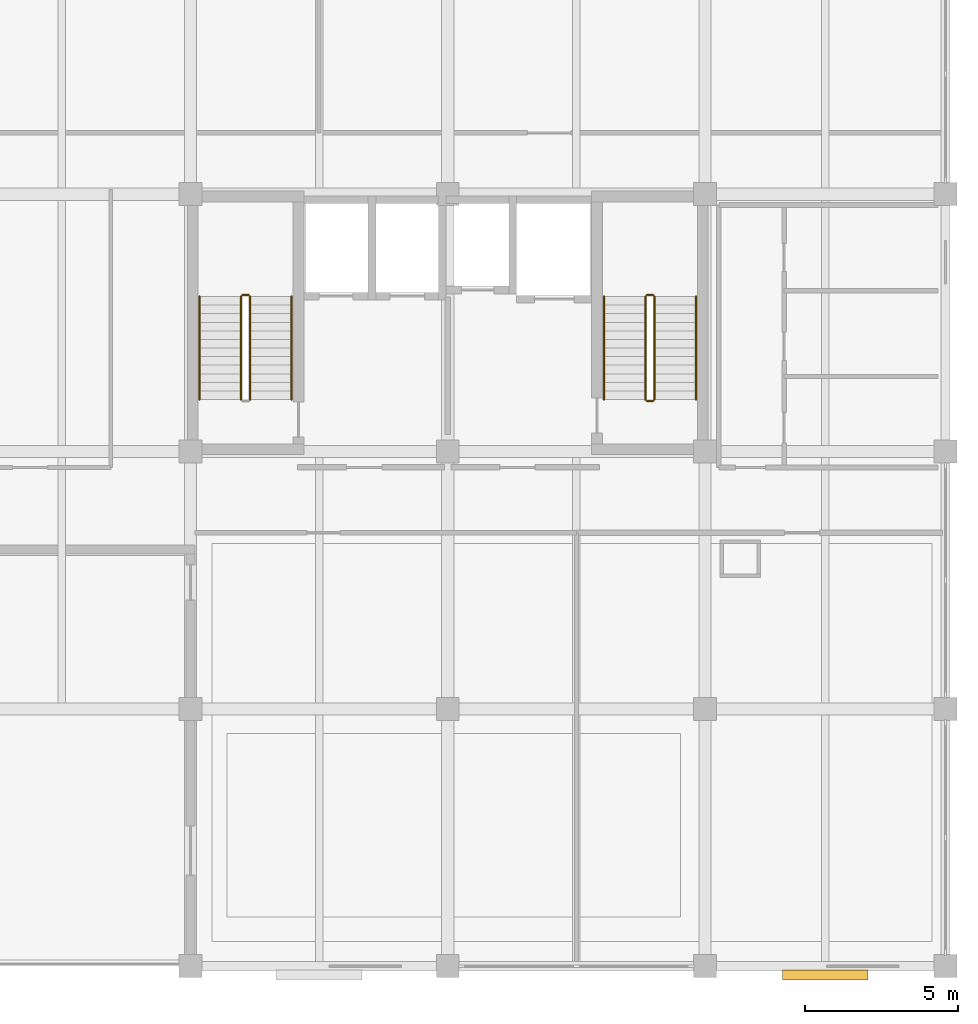
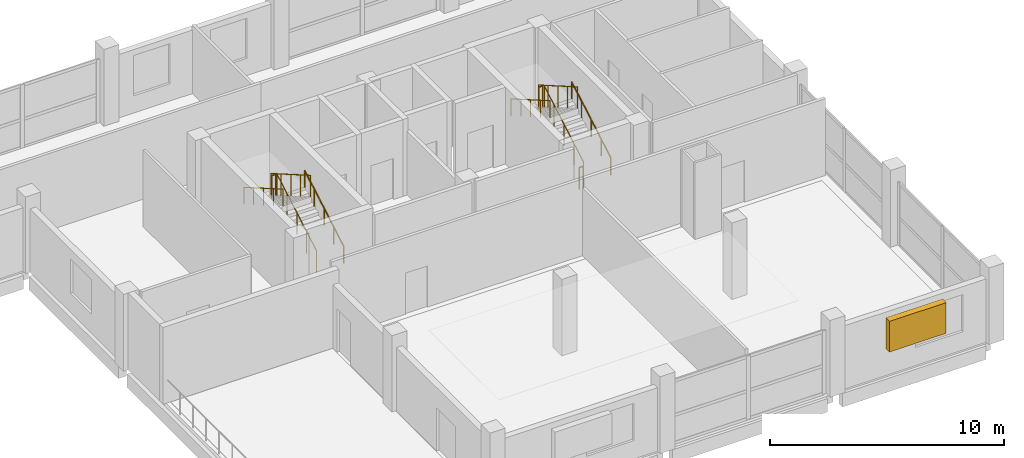
# One storey, part 10 of 10: 11 railings, 1 shading device.
"""IFC4 building model written with IfcOpenShell, lengths in metres."""

from ifc_helpers import new_model, si_unit, direction, frame, origin, origin_2d, place, context, subcontext, project, spatial, rectangle, circle, extrude, material, type_object, element, save


model = new_model("IFC4")

# Units and contexts
model_context = context("Model", 3, precision=1e-05, world=origin(), true_north=direction((0.0, 1.0)))
body_context = subcontext(model_context, "Body", "Model", "MODEL_VIEW")
ifc_project = project(units=[si_unit("LENGTHUNIT", "METRE"), si_unit("AREAUNIT", "SQUARE_METRE"), si_unit("VOLUMEUNIT", "CUBIC_METRE"), si_unit("PLANEANGLEUNIT", "RADIAN"), si_unit("MASSUNIT", "GRAM", prefix="KILO")], contexts=[model_context])

# Site, building, storey
site_placement = place(None, origin())
site = spatial("IfcSite", under=ifc_project, at=site_placement, CompositionType="ELEMENT")
building_placement = place(site_placement, origin())
building = spatial("IfcBuilding", under=site, at=building_placement, Name="Brinegate Botanical Conservatory", CompositionType="ELEMENT")
storey_placement = place(building_placement, frame((0.0, 0.0, 44.39990234375)))
storey = spatial("IfcBuildingStorey", under=building, at=storey_placement, Name="L11", CompositionType="ELEMENT", Elevation=44.39990234375)

# Railings
ifc_material_1 = material(Name="Structural steel Q355B / S355 painted tubular guardrail", Category="steel")
railing_type_1 = type_object("IfcRailingType", Name="Rail_ST-GRD", PredefinedType="GUARDRAIL", material=ifc_material_1)
railing_1_placement = place(storey_placement, frame((140.75, 96.89990234375, 0.16162109375)))
element("IfcRailing", 1, at=railing_1_placement, inside=storey, type_object=railing_type_1, Name="L11 ST1 stair guard 1", PredefinedType="GUARDRAIL", context=body_context, shape_type="SweptSolid", body=[
    extrude(circle(Radius=0.02392578125, at=origin_2d()), frame((0.0, 0.0, 1.1259765625), z_axis=(0.0, 0.866190824863, 0.499713372768), x_axis=(-1.0, 0.0, 0.0)), (0.0, 0.0, 1.0), 3.879150390625),
    extrude(circle(Radius=0.02099609375, at=origin_2d()), origin(), (0.0, 0.0, 1.0), 1.101806640625),
    extrude(circle(Radius=0.02099609375, at=origin_2d()), frame((0.0, 0.840087890625, 0.484619140625)), (0.0, 0.0, 1.0), 1.101806640625),
    extrude(circle(Radius=0.02099609375, at=origin_2d()), frame((0.0, 1.68017578125, 0.96923828125)), (0.0, 0.0, 1.0), 1.101806640625),
    extrude(circle(Radius=0.02099609375, at=origin_2d()), frame((0.0, 2.52001953125, 1.453857421875)), (0.0, 0.0, 1.0), 1.101806640625),
    extrude(circle(Radius=0.02099609375, at=origin_2d()), frame((0.0, 3.360107421875, 1.9384765625)), (0.0, 0.0, 1.0), 1.101806640625),
])
railing_2_placement = place(storey_placement, frame((140.699951171875, 100.31005859375, 2.10009765625)))
element("IfcRailing", 2, at=railing_2_placement, inside=storey, type_object=railing_type_1, Name="L11 ST1 stair guard 2", PredefinedType="GUARDRAIL", context=body_context, shape_type="SweptSolid", body=[
    extrude(circle(Radius=0.02392578125, at=origin_2d()), frame((0.0, 0.0, 1.1259765625), z_axis=(-1.0, 0.0, 0.0), x_axis=(0.0, -1.0, 0.0)), (0.0, 0.0, 1.0), 0.199951171875),
    extrude(circle(Radius=0.02099609375, at=origin_2d()), origin(), (0.0, 0.0, 1.0), 1.101806640625),
    extrude(circle(Radius=0.02099609375, at=origin_2d()), frame((-0.199951171875, 0.0, 0.0)), (0.0, 0.0, 1.0), 1.101806640625),
])
railing_3_placement = place(storey_placement, frame((140.449951171875, 100.260009765625, 2.26171875)))
element("IfcRailing", 3, at=railing_3_placement, inside=storey, type_object=railing_type_1, Name="L11 ST1 stair guard 3", PredefinedType="GUARDRAIL", context=body_context, shape_type="SweptSolid", body=[
    extrude(circle(Radius=0.02392578125, at=origin_2d()), frame((0.0, 0.0, 1.1259765625), z_axis=(0.0, -0.866190824863, 0.499713372768), x_axis=(1.0, 0.0, 0.0)), (0.0, 0.0, 1.0), 3.879150390625),
    extrude(circle(Radius=0.02099609375, at=origin_2d()), origin(), (0.0, 0.0, 1.0), 1.101806640625),
    extrude(circle(Radius=0.02099609375, at=origin_2d()), frame((0.0, -0.840087890625, 0.484619140625)), (0.0, 0.0, 1.0), 1.101806640625),
    extrude(circle(Radius=0.02099609375, at=origin_2d()), frame((0.0, -1.68017578125, 0.96923828125)), (0.0, 0.0, 1.0), 1.101806640625),
    extrude(circle(Radius=0.02099609375, at=origin_2d()), frame((0.0, -2.52001953125, 1.453857421875)), (0.0, 0.0, 1.0), 1.101806640625),
    extrude(circle(Radius=0.02099609375, at=origin_2d()), frame((0.0, -3.360107421875, 1.9384765625)), (0.0, 0.0, 1.0), 1.101806640625),
])
railing_4_placement = place(storey_placement, frame((153.949951171875, 96.89990234375, 0.16162109375)))
element("IfcRailing", 4, at=railing_4_placement, inside=storey, type_object=railing_type_1, Name="L11 ST2 stair guard 1", PredefinedType="GUARDRAIL", context=body_context, shape_type="SweptSolid", body=[
    extrude(circle(Radius=0.02392578125, at=origin_2d()), frame((0.0, 0.0, 1.1259765625), z_axis=(0.0, 0.866190824863, 0.499713372768), x_axis=(-1.0, 0.0, 0.0)), (0.0, 0.0, 1.0), 3.879150390625),
    extrude(circle(Radius=0.02099609375, at=origin_2d()), origin(), (0.0, 0.0, 1.0), 1.101806640625),
    extrude(circle(Radius=0.02099609375, at=origin_2d()), frame((0.0, 0.840087890625, 0.484619140625)), (0.0, 0.0, 1.0), 1.101806640625),
    extrude(circle(Radius=0.02099609375, at=origin_2d()), frame((0.0, 1.68017578125, 0.96923828125)), (0.0, 0.0, 1.0), 1.101806640625),
    extrude(circle(Radius=0.02099609375, at=origin_2d()), frame((0.0, 2.52001953125, 1.453857421875)), (0.0, 0.0, 1.0), 1.101806640625),
    extrude(circle(Radius=0.02099609375, at=origin_2d()), frame((0.0, 3.360107421875, 1.9384765625)), (0.0, 0.0, 1.0), 1.101806640625),
])
railing_5_placement = place(storey_placement, frame((153.89990234375, 100.31005859375, 2.10009765625)))
element("IfcRailing", 5, at=railing_5_placement, inside=storey, type_object=railing_type_1, Name="L11 ST2 stair guard 2", PredefinedType="GUARDRAIL", context=body_context, shape_type="SweptSolid", body=[
    extrude(circle(Radius=0.02392578125, at=origin_2d()), frame((0.0, 0.0, 1.1259765625), z_axis=(-1.0, 0.0, 0.0), x_axis=(0.0, -1.0, 0.0)), (0.0, 0.0, 1.0), 0.199951171875),
    extrude(circle(Radius=0.02099609375, at=origin_2d()), origin(), (0.0, 0.0, 1.0), 1.101806640625),
    extrude(circle(Radius=0.02099609375, at=origin_2d()), frame((-0.199951171875, 0.0, 0.0)), (0.0, 0.0, 1.0), 1.101806640625),
])
railing_6_placement = place(storey_placement, frame((153.64990234375, 100.260009765625, 2.26171875)))
element("IfcRailing", 6, at=railing_6_placement, inside=storey, type_object=railing_type_1, Name="L11 ST2 stair guard 3", PredefinedType="GUARDRAIL", context=body_context, shape_type="SweptSolid", body=[
    extrude(circle(Radius=0.02392578125, at=origin_2d()), frame((0.0, 0.0, 1.1259765625), z_axis=(0.0, -0.866190824863, 0.499713372768), x_axis=(1.0, 0.0, 0.0)), (0.0, 0.0, 1.0), 3.879150390625),
    extrude(circle(Radius=0.02099609375, at=origin_2d()), origin(), (0.0, 0.0, 1.0), 1.101806640625),
    extrude(circle(Radius=0.02099609375, at=origin_2d()), frame((0.0, -0.840087890625, 0.484619140625)), (0.0, 0.0, 1.0), 1.101806640625),
    extrude(circle(Radius=0.02099609375, at=origin_2d()), frame((0.0, -1.68017578125, 0.96923828125)), (0.0, 0.0, 1.0), 1.101806640625),
    extrude(circle(Radius=0.02099609375, at=origin_2d()), frame((0.0, -2.52001953125, 1.453857421875)), (0.0, 0.0, 1.0), 1.101806640625),
    extrude(circle(Radius=0.02099609375, at=origin_2d()), frame((0.0, -3.360107421875, 1.9384765625)), (0.0, 0.0, 1.0), 1.101806640625),
])
railing_7_placement = place(storey_placement, frame((153.89990234375, 96.85009765625, 0.0)))
element("IfcRailing", 7, at=railing_7_placement, inside=storey, type_object=railing_type_1, Name="L11 ST2 stair guard 4", PredefinedType="GUARDRAIL", context=body_context, shape_type="SweptSolid", body=[
    extrude(circle(Radius=0.02392578125, at=origin_2d()), frame((0.0, 0.0, 1.1259765625), z_axis=(-1.0, 0.0, 0.0), x_axis=(0.0, -1.0, 0.0)), (0.0, 0.0, 1.0), 0.199951171875),
    extrude(circle(Radius=0.02099609375, at=origin_2d()), origin(), (0.0, 0.0, 1.0), 1.101806640625),
    extrude(circle(Radius=0.02099609375, at=origin_2d()), frame((-0.199951171875, 0.0, 0.0)), (0.0, 0.0, 1.0), 1.101806640625),
])
ifc_material_2 = material(Name="Brushed stainless steel S355 handrail", Category="steel")
railing_type_2 = type_object("IfcRailingType", Name="Rail_ST-HND", PredefinedType="HANDRAIL", material=ifc_material_2)
railing_8_placement = place(storey_placement, frame((142.10009765625, 96.89990234375, 0.16162109375)))
element("IfcRailing", 8, at=railing_8_placement, inside=storey, type_object=railing_type_2, Name="L11 ST1 stair handrail 1", PredefinedType="HANDRAIL", context=body_context, shape_type="SweptSolid", body=[
    extrude(circle(Radius=0.02392578125, at=origin_2d()), frame((0.0, 0.0, 0.8759765625), z_axis=(0.0, 0.866190824863, 0.499713372768), x_axis=(-1.0, 0.0, 0.0)), (0.0, 0.0, 1.0), 3.879150390625),
    extrude(circle(Radius=0.02099609375, at=origin_2d()), origin(), (0.0, 0.0, 1.0), 0.851806640625),
    extrude(circle(Radius=0.02099609375, at=origin_2d()), frame((0.0, 0.840087890625, 0.484619140625)), (0.0, 0.0, 1.0), 0.851806640625),
    extrude(circle(Radius=0.02099609375, at=origin_2d()), frame((0.0, 1.68017578125, 0.96923828125)), (0.0, 0.0, 1.0), 0.851806640625),
    extrude(circle(Radius=0.02099609375, at=origin_2d()), frame((0.0, 2.52001953125, 1.453857421875)), (0.0, 0.0, 1.0), 0.851806640625),
    extrude(circle(Radius=0.02099609375, at=origin_2d()), frame((0.0, 3.360107421875, 1.9384765625)), (0.0, 0.0, 1.0), 0.851806640625),
])
railing_9_placement = place(storey_placement, frame((139.10009765625, 100.260009765625, 2.26171875)))
element("IfcRailing", 9, at=railing_9_placement, inside=storey, type_object=railing_type_2, Name="L11 ST1 stair handrail 2", PredefinedType="HANDRAIL", context=body_context, shape_type="SweptSolid", body=[
    extrude(circle(Radius=0.02392578125, at=origin_2d()), frame((0.0, 0.0, 0.8759765625), z_axis=(0.0, -0.866190824863, 0.499713372768), x_axis=(1.0, 0.0, 0.0)), (0.0, 0.0, 1.0), 3.879150390625),
    extrude(circle(Radius=0.02099609375, at=origin_2d()), origin(), (0.0, 0.0, 1.0), 0.851806640625),
    extrude(circle(Radius=0.02099609375, at=origin_2d()), frame((0.0, -0.840087890625, 0.484619140625)), (0.0, 0.0, 1.0), 0.851806640625),
    extrude(circle(Radius=0.02099609375, at=origin_2d()), frame((0.0, -1.68017578125, 0.96923828125)), (0.0, 0.0, 1.0), 0.851806640625),
    extrude(circle(Radius=0.02099609375, at=origin_2d()), frame((0.0, -2.52001953125, 1.453857421875)), (0.0, 0.0, 1.0), 0.851806640625),
    extrude(circle(Radius=0.02099609375, at=origin_2d()), frame((0.0, -3.360107421875, 1.9384765625)), (0.0, 0.0, 1.0), 0.851806640625),
])
railing_10_placement = place(storey_placement, frame((155.300048828125, 96.89990234375, 0.16162109375)))
element("IfcRailing", 10, at=railing_10_placement, inside=storey, type_object=railing_type_2, Name="L11 ST2 stair handrail 1", PredefinedType="HANDRAIL", context=body_context, shape_type="SweptSolid", body=[
    extrude(circle(Radius=0.02392578125, at=origin_2d()), frame((0.0, 0.0, 0.8759765625), z_axis=(0.0, 0.866190824863, 0.499713372768), x_axis=(-1.0, 0.0, 0.0)), (0.0, 0.0, 1.0), 3.879150390625),
    extrude(circle(Radius=0.02099609375, at=origin_2d()), origin(), (0.0, 0.0, 1.0), 0.851806640625),
    extrude(circle(Radius=0.02099609375, at=origin_2d()), frame((0.0, 0.840087890625, 0.484619140625)), (0.0, 0.0, 1.0), 0.851806640625),
    extrude(circle(Radius=0.02099609375, at=origin_2d()), frame((0.0, 1.68017578125, 0.96923828125)), (0.0, 0.0, 1.0), 0.851806640625),
    extrude(circle(Radius=0.02099609375, at=origin_2d()), frame((0.0, 2.52001953125, 1.453857421875)), (0.0, 0.0, 1.0), 0.851806640625),
    extrude(circle(Radius=0.02099609375, at=origin_2d()), frame((0.0, 3.360107421875, 1.9384765625)), (0.0, 0.0, 1.0), 0.851806640625),
])
railing_11_placement = place(storey_placement, frame((152.300048828125, 100.260009765625, 2.26171875)))
element("IfcRailing", 11, at=railing_11_placement, inside=storey, type_object=railing_type_2, Name="L11 ST2 stair handrail 2", PredefinedType="HANDRAIL", context=body_context, shape_type="SweptSolid", body=[
    extrude(circle(Radius=0.02392578125, at=origin_2d()), frame((0.0, 0.0, 0.8759765625), z_axis=(0.0, -0.866190824863, 0.499713372768), x_axis=(1.0, 0.0, 0.0)), (0.0, 0.0, 1.0), 3.879150390625),
    extrude(circle(Radius=0.02099609375, at=origin_2d()), origin(), (0.0, 0.0, 1.0), 0.851806640625),
    extrude(circle(Radius=0.02099609375, at=origin_2d()), frame((0.0, -0.840087890625, 0.484619140625)), (0.0, 0.0, 1.0), 0.851806640625),
    extrude(circle(Radius=0.02099609375, at=origin_2d()), frame((0.0, -1.68017578125, 0.96923828125)), (0.0, 0.0, 1.0), 0.851806640625),
    extrude(circle(Radius=0.02099609375, at=origin_2d()), frame((0.0, -2.52001953125, 1.453857421875)), (0.0, 0.0, 1.0), 0.851806640625),
    extrude(circle(Radius=0.02099609375, at=origin_2d()), frame((0.0, -3.360107421875, 1.9384765625)), (0.0, 0.0, 1.0), 0.851806640625),
])

# Shading device
ifc_material_3 = material(Name="Anodised aluminium AW-6063-T6 solar-storm fin bank", Category="aluminium")
shading_device_type = type_object("IfcShadingDeviceType", Name="Shade_SLV-02", PredefinedType="JALOUSIE", material=ifc_material_3)
shading_device_placement = place(storey_placement, frame((159.52490234375, 78.110107421875, 1.400146484375), z_axis=(0.0, 0.0, 1.0), x_axis=(1.0, 0.0, 0.0)))
element("IfcShadingDevice", 12, at=shading_device_placement, inside=storey, type_object=shading_device_type, Name="Research lab south storm louvre L11.3", PredefinedType="JALOUSIE", context=body_context, shape_type="SweptSolid", body=[
    extrude(rectangle(XDim=2.800048828125, YDim=0.320068359375, at=origin_2d()), origin(), (0.0, 0.0, 1.0), 1.60009765625),
])

save(model, "model.ifc")
